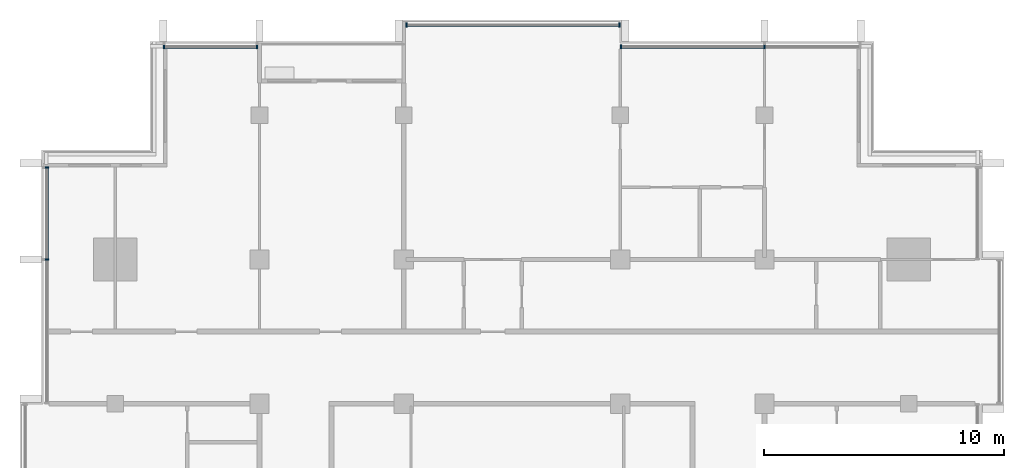
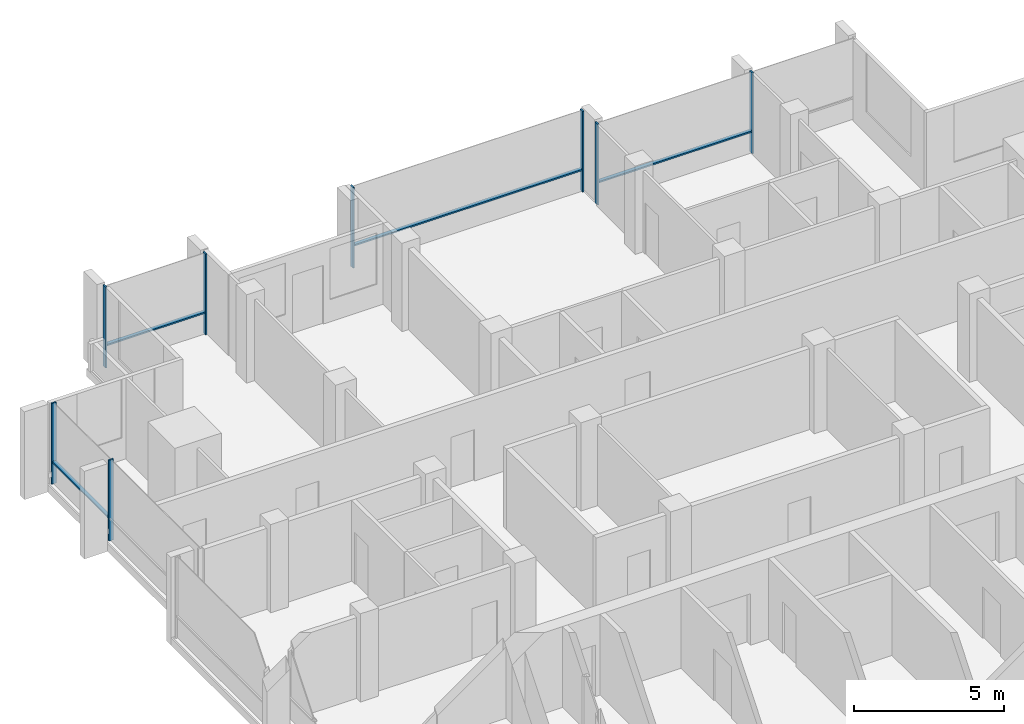
# One storey, part 4 of 16: 12 members, 4 elements without a shape of their own.
"""IFC4 building model written with IfcOpenShell, lengths in metres."""

import ifcopenshell
import ifcopenshell.guid

model = None  # the IFC model being written
_history = None  # IfcOwnerHistory: only IFC2X3 demands one
_inside = {}  # id of a spatial element -> (the spatial element, [elements in it])
_under = {}  # id of a project, library or spatial element -> (it, [spatial elements below it])
_declared = {}  # id of a project -> (the project, [libraries it declares])
_typed = {}  # id of a type object -> (the type object, [elements of that type])
_made_of = {}  # id of a material, layer set ... -> (it, [elements and type objects made of it])


def new_model(schema):
    """Start an empty IFC model of exactly this schema.

    Asked for "IFC4X3", IfcOpenShell would pick the latest addendum, in which some entities
    have other attributes; the version numbers below select the first issue.
    IFC2X3 requires an IfcOwnerHistory on every rooted entity: one is made here for all.
    """
    global model, _history
    if schema == "IFC4X3":
        model = ifcopenshell.file(schema_version=(4, 3, 0, 0))
    else:
        model = ifcopenshell.file(schema=schema)
    _inside.clear()
    _under.clear()
    _declared.clear()
    _typed.clear()
    _made_of.clear()
    _history = None
    if model.schema == "IFC2X3":
        org = make("IfcOrganization", Name="unknown")
        user = make(
            "IfcPersonAndOrganization",
            ThePerson=make("IfcPerson", FamilyName="unknown"),
            TheOrganization=org,
        )
        app = make(
            "IfcApplication",
            ApplicationDeveloper=org,
            Version="unknown",
            ApplicationFullName="unknown",
            ApplicationIdentifier="unknown",
        )
        _history = make(
            "IfcOwnerHistory",
            OwningUser=user,
            OwningApplication=app,
            ChangeAction="ADDED",
            CreationDate=0,
        )
    return model


def make(cls, **values):
    """One entity of the class cls with the attributes given. An attribute that is None is left unset."""
    return model.create_entity(
        cls, **{name: value for name, value in values.items() if value is not None}
    )


def rooted(cls, **values):
    """An entity with a GlobalId (a new one), such as an element, a storey or a relation."""
    return make(cls, GlobalId=ifcopenshell.guid.new(), OwnerHistory=_history, **values)


def si_unit(unit_type, name, prefix=None):
    """IfcSIUnit, for example si_unit("LENGTHUNIT", "METRE", prefix="MILLI")."""
    return make("IfcSIUnit", UnitType=unit_type, Prefix=prefix, Name=name)


def assignment(units):
    """IfcUnitAssignment: the units of a project."""
    return None if units is None else make("IfcUnitAssignment", Units=units)


def point(xyz):
    """IfcCartesianPoint."""
    return None if xyz is None else make("IfcCartesianPoint", Coordinates=xyz)


def direction(xyz):
    """IfcDirection."""
    return None if xyz is None else make("IfcDirection", DirectionRatios=xyz)


def frame(location, z_axis=None, x_axis=None):
    """IfcAxis2Placement3D, a coordinate frame: its origin and axes. An axis left out is left unset."""
    return make(
        "IfcAxis2Placement3D",
        Location=point(location),
        Axis=direction(z_axis),
        RefDirection=direction(x_axis),
    )


def frame_2d(location, x_axis=None):
    """IfcAxis2Placement2D, a coordinate frame in the plane: its origin and x axis."""
    return make(
        "IfcAxis2Placement2D", Location=point(location), RefDirection=direction(x_axis)
    )


def origin():
    """The frame at (0, 0, 0) with its axes left unset."""
    return frame((0.0, 0.0, 0.0))


def origin_2d():
    """The frame at (0, 0) in the plane with its x axis left unset."""
    return frame_2d((0.0, 0.0))


def place(relative_to, where):
    """IfcLocalPlacement: puts the frame where relative to a parent placement (None: the world)."""
    return make(
        "IfcLocalPlacement", PlacementRelTo=relative_to, RelativePlacement=where
    )


def context(
    kind, dimensions, precision=None, world=None, true_north=None, identifier=None
):
    """IfcGeometricRepresentationContext, for example the 3D "Model" context."""
    return make(
        "IfcGeometricRepresentationContext",
        ContextIdentifier=identifier,
        ContextType=kind,
        CoordinateSpaceDimension=dimensions,
        Precision=precision,
        WorldCoordinateSystem=world,
        TrueNorth=true_north,
    )


def subcontext(parent, identifier, kind, view, scale=None):
    """IfcGeometricRepresentationSubContext, for example "Body" below "Model"."""
    return make(
        "IfcGeometricRepresentationSubContext",
        ContextIdentifier=identifier,
        ContextType=kind,
        ParentContext=parent,
        TargetScale=scale,
        TargetView=view,
    )


def project(units=None, contexts=None):
    """IfcProject with its units and contexts."""
    return rooted(
        "IfcProject",
        Name="project",
        RepresentationContexts=contexts,
        UnitsInContext=assignment(units),
    )


def spatial(cls, under=None, at=None, **own):
    """A site, building, storey or space (cls), placed at a placement, below another one or the project."""
    s = rooted(cls, ObjectPlacement=at, **own)
    if under is not None:
        _under.setdefault(under.id(), (under, []))[1].append(s)
    return s


def profile(cls, at=None, kind="AREA", **sizes):
    """A parametric profile (cls). Its sizes go by their IFC names, for example OverallWidth=200.0."""
    return make(cls, ProfileType=kind, Position=at, **sizes)


def rectangle(**sizes):
    """IfcRectangleProfileDef."""
    return profile("IfcRectangleProfileDef", **sizes)


def extrude(swept, where, along, depth):
    """IfcExtrudedAreaSolid: the profile swept, set in the frame where, extruded along a direction by depth."""
    return make(
        "IfcExtrudedAreaSolid",
        SweptArea=swept,
        Position=where,
        ExtrudedDirection=direction(along),
        Depth=depth,
    )


def shape(context_of_items, identifier, shape_type, items):
    """IfcShapeRepresentation: the items that make up one representation, for example the "Body"."""
    return make(
        "IfcShapeRepresentation",
        ContextOfItems=context_of_items,
        RepresentationIdentifier=identifier,
        RepresentationType=shape_type,
        Items=items,
    )


def material(Name=None, Category=None):
    """IfcMaterial."""
    return make("IfcMaterial", Name=Name, Category=Category)


def material_profile(
    of_material, cross_section, Name=None, Category=None, Priority=None
):
    """IfcMaterialProfile: a cross section and its material."""
    return make(
        "IfcMaterialProfile",
        Name=Name,
        Material=of_material,
        Profile=cross_section,
        Priority=Priority,
        Category=Category,
    )


def profile_set(profiles, Name=None, composite=None):
    """IfcMaterialProfileSet."""
    return make(
        "IfcMaterialProfileSet",
        Name=Name,
        MaterialProfiles=profiles,
        CompositeProfile=composite,
    )


def made_of(thing, what):
    """Note that an element or type object is made of a material, layer set ...; save() writes the relation."""
    if what is not None:
        _made_of.setdefault(what.id(), (what, []))[1].append(thing)
    return thing


def type_object(cls, material=None, **own):
    """A type object (cls), such as IfcWallType, which elements share."""
    return made_of(rooted(cls, **own), material)


def element(
    cls,
    number,
    at=None,
    inside=None,
    cuts=None,
    type_object=None,
    material=None,
    context=None,
    identifier="Body",
    shape_type=None,
    held_by="IfcProductDefinitionShape",
    body=None,
    shapes=None,
    **own,
):
    """One element of the class cls, such as IfcWall. Its Tag is "e" and its number.

    at: its placement. inside: the storey or other place that contains it. cuts: it is an
    opening in that element (IfcRelVoidsElement). A single representation is given by context,
    identifier, shape_type and body (its items); several are given by shapes. held_by: the class
    of the entity that holds the representations. save() writes the other relations.
    """
    e = rooted(cls, Tag="e%d" % number, ObjectPlacement=at, **own)
    if body is not None:
        shapes = [shape(context, identifier, shape_type, body)]
    if shapes is not None:
        e.Representation = make(held_by, Representations=shapes)
    if inside is not None:
        _inside.setdefault(inside.id(), (inside, []))[1].append(e)
    if cuts is not None:
        rooted(
            "IfcRelVoidsElement", RelatingBuildingElement=cuts, RelatedOpeningElement=e
        )
    if type_object is not None:
        _typed.setdefault(type_object.id(), (type_object, []))[1].append(e)
    return made_of(e, material)


def aggregate(whole, parts):
    """IfcRelAggregates: a whole, such as a stair, and the parts it consists of."""
    return rooted("IfcRelAggregates", RelatingObject=whole, RelatedObjects=parts)


def save(model, path):
    """Write the relations noted so far, then the file.

    IfcRelAggregates (storeys below a building ...), IfcRelContainedInSpatialStructure (elements
    in a storey), IfcRelDefinesByType, IfcRelAssociatesMaterial and IfcRelDeclares: one each for
    every whole, place, type object, material and project.
    """
    for whole, parts in _under.values():
        aggregate(whole, parts)
    for where, things in _inside.values():
        rooted(
            "IfcRelContainedInSpatialStructure",
            RelatedElements=things,
            RelatingStructure=where,
        )
    for kind, things in _typed.values():
        rooted("IfcRelDefinesByType", RelatedObjects=things, RelatingType=kind)
    for what, things in _made_of.values():
        rooted("IfcRelAssociatesMaterial", RelatedObjects=things, RelatingMaterial=what)
    for by, libraries in _declared.values():
        rooted("IfcRelDeclares", RelatingContext=by, RelatedDefinitions=libraries)
    model.write(path)


model = new_model("IFC4")

# Units and contexts
model_context = context("Model", 3, precision=1e-05, world=origin(), true_north=direction((0.0, 1.0)))
body_context = subcontext(model_context, "Body", "Model", "MODEL_VIEW")
ifc_project = project(units=[si_unit("LENGTHUNIT", "METRE"), si_unit("AREAUNIT", "SQUARE_METRE"), si_unit("VOLUMEUNIT", "CUBIC_METRE"), si_unit("PLANEANGLEUNIT", "RADIAN"), si_unit("MASSUNIT", "GRAM", prefix="KILO")], contexts=[model_context])

# Site, building, storey
site_placement = place(None, origin())
site = spatial("IfcSite", under=ifc_project, at=site_placement, CompositionType="ELEMENT")
building_placement = place(site_placement, origin())
building = spatial("IfcBuilding", under=site, at=building_placement, Name="Finial Court Residences", CompositionType="ELEMENT")
storey_placement = place(building_placement, frame((0.0, 0.0, 255.5)))
storey = spatial("IfcBuildingStorey", under=building, at=storey_placement, Name="L64", CompositionType="ELEMENT", Elevation=255.5)

# Curtain wall, members
ifc_material = material(Name="Bronze anodised aluminium", Category="aluminium")
curtain_wall_type = type_object("IfcCurtainWallType", Name="Unitised curtain wall, upper zones", PredefinedType="NOTDEFINED", material=ifc_material)
curtain_wall_1_placement = place(storey_placement, origin())
curtain_wall_1 = element("IfcCurtainWall", 1, at=curtain_wall_1_placement, inside=storey, type_object=curtain_wall_type, Name="E-L64-CW-N1", PredefinedType="NOTDEFINED")
ifc_material_profile_1 = material_profile(ifc_material, rectangle(XDim=0.175048828125, YDim=0.06005859375, at=origin_2d()), Name="CW2 mullion 60 x 175")
ifc_profile_set_1 = profile_set([ifc_material_profile_1], Name="Bronze anodised aluminium")
member_type_1 = type_object("IfcMemberType", Name="CW2 mullion 60 x 175", PredefinedType="MULLION", material=ifc_profile_set_1)
member_1_placement = place(storey_placement, frame((-14.469970703125, 16.35009765625, 0.0), z_axis=(0.0, 0.0, 1.0), x_axis=(0.0, 1.0, 0.0)))
member_1 = element("IfcMember", 2, at=member_1_placement, type_object=member_type_1, Name="CW2 mullion 1", PredefinedType="MULLION", context=body_context, shape_type="SweptSolid", body=[
    extrude(rectangle(XDim=0.175048828125, YDim=0.06005859375, at=origin_2d()), origin(), (0.0, 0.0, 1.0), 3.300048828125),
])
member_2_placement = place(storey_placement, frame((-10.60498046875, 16.35009765625, 0.0), z_axis=(0.0, 0.0, 1.0), x_axis=(0.0, 1.0, 0.0)))
member_2 = element("IfcMember", 3, at=member_2_placement, type_object=member_type_1, Name="CW2 mullion 2", PredefinedType="MULLION", context=body_context, shape_type="SweptSolid", body=[
    extrude(rectangle(XDim=0.175048828125, YDim=0.06005859375, at=origin_2d()), origin(), (0.0, 0.0, 1.0), 3.300048828125),
])

curtain_wall_2_placement = place(storey_placement, origin())
curtain_wall_2 = element("IfcCurtainWall", 4, at=curtain_wall_2_placement, inside=storey, type_object=curtain_wall_type, Name="E-L64-CW-N2", PredefinedType="NOTDEFINED")
member_3_placement = place(storey_placement, frame((-4.39501953125, 17.25, 0.0), z_axis=(0.0, 0.0, 1.0), x_axis=(0.0, 1.0, 0.0)))
member_3 = element("IfcMember", 5, at=member_3_placement, type_object=member_type_1, Name="CW2 mullion 1", PredefinedType="MULLION", context=body_context, shape_type="SweptSolid", body=[
    extrude(rectangle(XDim=0.175048828125, YDim=0.06005859375, at=origin_2d()), origin(), (0.0, 0.0, 1.0), 3.300048828125),
])
member_4_placement = place(storey_placement, frame((4.469970703125, 17.25, 0.0), z_axis=(0.0, 0.0, 1.0), x_axis=(0.0, 1.0, 0.0)))
member_4 = element("IfcMember", 6, at=member_4_placement, type_object=member_type_1, Name="CW2 mullion 2", PredefinedType="MULLION", context=body_context, shape_type="SweptSolid", body=[
    extrude(rectangle(XDim=0.175048828125, YDim=0.06005859375, at=origin_2d()), origin(), (0.0, 0.0, 1.0), 3.300048828125),
])

curtain_wall_3_placement = place(storey_placement, origin())
curtain_wall_3 = element("IfcCurtainWall", 7, at=curtain_wall_3_placement, inside=storey, type_object=curtain_wall_type, Name="E-L64-CW-N3", PredefinedType="NOTDEFINED")
member_5_placement = place(storey_placement, frame((4.530029296875, 16.35009765625, 0.0), z_axis=(0.0, 0.0, 1.0), x_axis=(0.0, 1.0, 0.0)))
member_5 = element("IfcMember", 8, at=member_5_placement, type_object=member_type_1, Name="CW2 mullion 1", PredefinedType="MULLION", context=body_context, shape_type="SweptSolid", body=[
    extrude(rectangle(XDim=0.175048828125, YDim=0.06005859375, at=origin_2d()), origin(), (0.0, 0.0, 1.0), 3.300048828125),
])
member_6_placement = place(storey_placement, frame((10.5, 16.35009765625, 0.0), z_axis=(0.0, 0.0, 1.0), x_axis=(0.0, 1.0, 0.0)))
member_6 = element("IfcMember", 9, at=member_6_placement, type_object=member_type_1, Name="CW2 mullion 2", PredefinedType="MULLION", context=body_context, shape_type="SweptSolid", body=[
    extrude(rectangle(XDim=0.175048828125, YDim=0.06005859375, at=origin_2d()), origin(), (0.0, 0.0, 1.0), 3.300048828125),
])

curtain_wall_4_placement = place(storey_placement, origin())
curtain_wall_4 = element("IfcCurtainWall", 10, at=curtain_wall_4_placement, inside=storey, type_object=curtain_wall_type, Name="E-L64-CW-W11", PredefinedType="NOTDEFINED")
member_7_placement = place(storey_placement, frame((-19.35009765625, 7.5, 0.0), z_axis=(0.0, 0.0, 1.0), x_axis=(-1.0, 0.0, 0.0)))
member_7 = element("IfcMember", 11, at=member_7_placement, type_object=member_type_1, Name="CW2 mullion 2", PredefinedType="MULLION", context=body_context, shape_type="SweptSolid", body=[
    extrude(rectangle(XDim=0.175048828125, YDim=0.06005859375, at=origin_2d()), origin(), (0.0, 0.0, 1.0), 3.300048828125),
])
member_8_placement = place(storey_placement, frame((-19.35009765625, 11.320068359375, 0.0), z_axis=(0.0, 0.0, 1.0), x_axis=(-1.0, 0.0, 0.0)))
member_8 = element("IfcMember", 12, at=member_8_placement, type_object=member_type_1, Name="CW2 mullion 3", PredefinedType="MULLION", context=body_context, shape_type="SweptSolid", body=[
    extrude(rectangle(XDim=0.175048828125, YDim=0.06005859375, at=origin_2d()), origin(), (0.0, 0.0, 1.0), 3.300048828125),
])

# Member
ifc_material_profile_2 = material_profile(ifc_material, rectangle(XDim=0.139892578125, YDim=0.06005859375, at=origin_2d()), Name="CW2 transom 60 x 140")
ifc_profile_set_2 = profile_set([ifc_material_profile_2], Name="Bronze anodised aluminium")
member_type_2 = type_object("IfcMemberType", Name="CW2 transom 60 x 140", PredefinedType="USERDEFINED", material=ifc_profile_set_2)
member_9_placement = place(storey_placement, frame((-14.43994140625, 16.35009765625, 0.89990234375), z_axis=(1.0, 0.0, 0.0), x_axis=(0.0, 1.0, 0.0)))
member_9 = element("IfcMember", 13, at=member_9_placement, type_object=member_type_2, Name="CW2 transom 1.1", ObjectType="TRANSOM", PredefinedType="USERDEFINED", context=body_context, shape_type="SweptSolid", body=[
    extrude(rectangle(XDim=0.139892578125, YDim=0.06005859375, at=origin_2d()), origin(), (0.0, 0.0, 1.0), 3.804931640625),
])

aggregate(curtain_wall_1, [member_1, member_2, member_9])

member_10_placement = place(storey_placement, frame((-4.364990234375, 17.25, 0.89990234375), z_axis=(1.0, 0.0, 0.0), x_axis=(0.0, 1.0, 0.0)))
member_10 = element("IfcMember", 14, at=member_10_placement, type_object=member_type_2, Name="CW2 transom 1.1", ObjectType="TRANSOM", PredefinedType="USERDEFINED", context=body_context, shape_type="SweptSolid", body=[
    extrude(rectangle(XDim=0.139892578125, YDim=0.06005859375, at=origin_2d()), origin(), (0.0, 0.0, 1.0), 8.804931640625),
])

aggregate(curtain_wall_2, [member_3, member_4, member_10])

member_11_placement = place(storey_placement, frame((4.56005859375, 16.35009765625, 0.89990234375), z_axis=(1.0, 0.0, 0.0), x_axis=(0.0, 1.0, 0.0)))
member_11 = element("IfcMember", 15, at=member_11_placement, type_object=member_type_2, Name="CW2 transom 1.1", ObjectType="TRANSOM", PredefinedType="USERDEFINED", context=body_context, shape_type="SweptSolid", body=[
    extrude(rectangle(XDim=0.139892578125, YDim=0.06005859375, at=origin_2d()), origin(), (0.0, 0.0, 1.0), 5.909912109375),
])

aggregate(curtain_wall_3, [member_5, member_6, member_11])

member_12_placement = place(storey_placement, frame((-19.35009765625, 7.530029296875, 0.89990234375), z_axis=(0.0, 1.0, 0.0), x_axis=(-1.0, 0.0, 0.0)))
member_12 = element("IfcMember", 16, at=member_12_placement, type_object=member_type_2, Name="CW2 transom 2.1", ObjectType="TRANSOM", PredefinedType="USERDEFINED", context=body_context, shape_type="SweptSolid", body=[
    extrude(rectangle(XDim=0.139892578125, YDim=0.06005859375, at=origin_2d()), origin(), (0.0, 0.0, 1.0), 3.760009765625),
])

aggregate(curtain_wall_4, [member_7, member_8, member_12])

save(model, "model.ifc")
